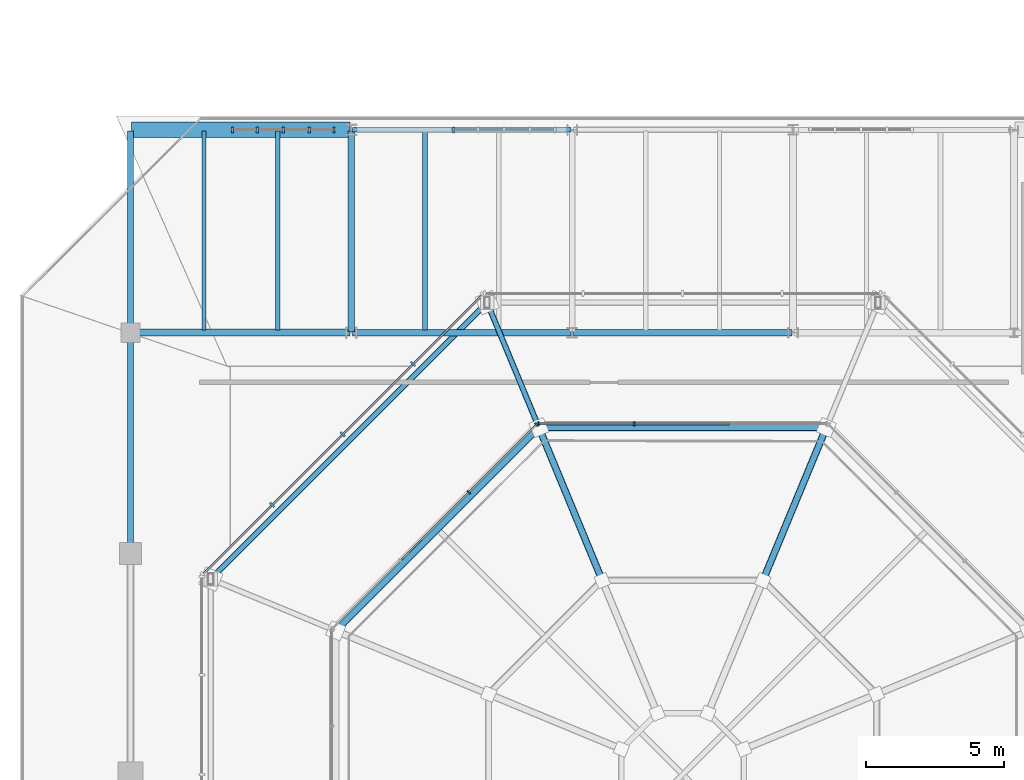
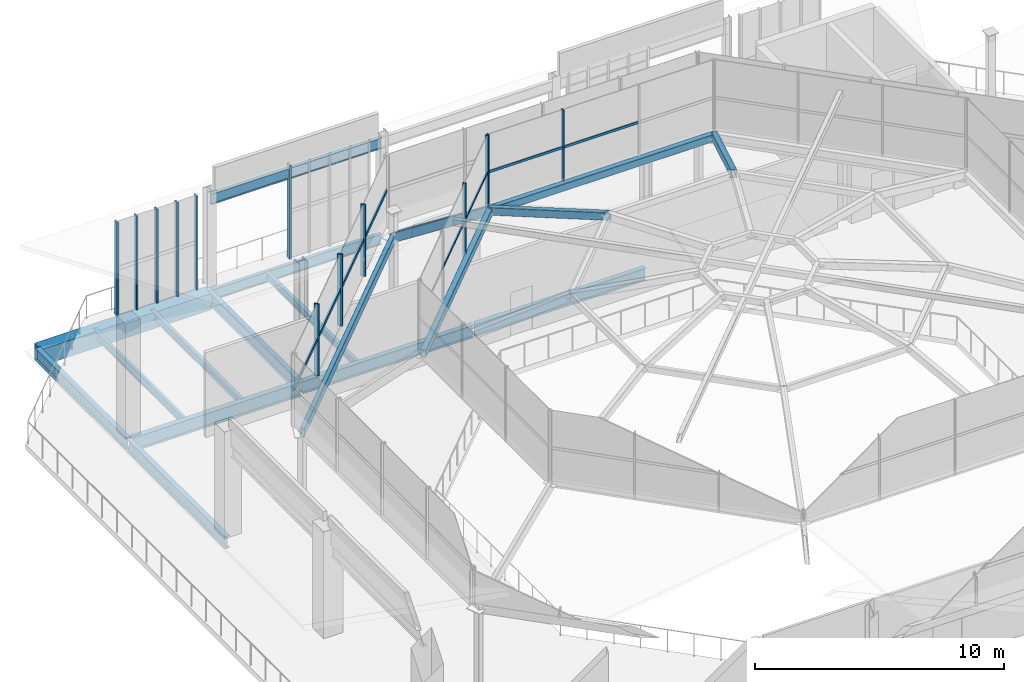
# One storey, part 13 of 30: 21 members, 18 beams, 5 elements without a shape of their own.
"""IFC4 building model written with IfcOpenShell, lengths in metres."""

from ifc_helpers import new_model, si_unit, direction, frame, origin, origin_2d, place, context, subcontext, project, spatial, rectangle, hollow_rectangle, i_section, extrude, material, material_profile, profile_set, type_object, element, aggregate, save


model = new_model("IFC4")

# Units and contexts
model_context = context("Model", 3, precision=1e-05, world=origin(), true_north=direction((0.0, 1.0)))
body_context = subcontext(model_context, "Body", "Model", "MODEL_VIEW")
ifc_project = project(units=[si_unit("LENGTHUNIT", "METRE"), si_unit("AREAUNIT", "SQUARE_METRE"), si_unit("VOLUMEUNIT", "CUBIC_METRE"), si_unit("PLANEANGLEUNIT", "RADIAN"), si_unit("MASSUNIT", "GRAM", prefix="KILO")], contexts=[model_context])

# Site, building, storey
site_placement = place(None, origin())
site = spatial("IfcSite", under=ifc_project, at=site_placement, CompositionType="ELEMENT")
building_placement = place(site_placement, origin())
building = spatial("IfcBuilding", under=site, at=building_placement, Name="Brisemont Oceanarium", CompositionType="ELEMENT")
storey_placement = place(building_placement, frame((0.0, 0.0, 19.800048828125)))
storey = spatial("IfcBuildingStorey", under=building, at=storey_placement, Name="L04", CompositionType="ELEMENT", Elevation=19.800048828125)

# Beams
ifc_material_1 = material(Name="Structural Steel ASTM A500 Gr.C", Category="steel")
ifc_material_profile_1 = material_profile(ifc_material_1, hollow_rectangle(XDim=0.25390625, YDim=0.35595703125, WallThickness=0.01171875, InnerFilletRadius=0.01220703125, OuterFilletRadius=0.02392578125, at=origin_2d()), Name="HSS14X10X1/2")
ifc_profile_set_1 = profile_set([ifc_material_profile_1], Name="Structural Steel ASTM A500 Gr.C")
beam_type_1 = type_object("IfcBeamType", Name="BM-HSS14X10", PredefinedType="BEAM", material=ifc_profile_set_1)
beam_1_placement = place(storey_placement, frame((89.20458984375, 68.564697265625, 7.800048828125), z_axis=(-1.0, 0.0, 0.0), x_axis=(0.0, -1.0, 0.0)))
element("IfcBeam", 1, at=beam_1_placement, inside=storey, type_object=beam_type_1, Name="V1 dome ring 2 chord 2", PredefinedType="BEAM", context=body_context, shape_type="SweptSolid", body=[
    extrude(hollow_rectangle(XDim=0.25390625, YDim=0.35595703125, WallThickness=0.01171875, InnerFilletRadius=0.01220703125, OuterFilletRadius=0.02392578125, at=origin_2d()), origin(), (0.0, 0.0, 1.0), 10.4091796875),
])
beam_2_placement = place(storey_placement, frame((89.20458984375, 68.564697265625, 7.800048828125), z_axis=(-0.357341841105, -0.862673737617, 0.357911764296), x_axis=(0.923875488976, -0.382693194178, 0.0)))
element("IfcBeam", 2, at=beam_2_placement, inside=storey, type_object=beam_type_1, Name="V1 dome meridian arch rib 2.2", PredefinedType="BEAM", context=body_context, shape_type="SweptSolid", body=[
    extrude(hollow_rectangle(XDim=0.25390625, YDim=0.35595703125, WallThickness=0.01171875, InnerFilletRadius=0.01220703125, OuterFilletRadius=0.02392578125, at=origin_2d()), origin(), (0.0, 0.0, 1.0), 6.425537109375),
])
beam_3_placement = place(storey_placement, frame((78.79541015625, 68.564697265625, 7.800048828125), z_axis=(-0.707106781187, -0.707106781187, 0.0), x_axis=(0.707106781187, -0.707106781187, 0.0)))
element("IfcBeam", 3, at=beam_3_placement, inside=storey, type_object=beam_type_1, Name="V1 dome ring 2 chord 3", PredefinedType="BEAM", context=body_context, shape_type="SweptSolid", body=[
    extrude(hollow_rectangle(XDim=0.25390625, YDim=0.35595703125, WallThickness=0.01171875, InnerFilletRadius=0.01220703125, OuterFilletRadius=0.02392578125, at=origin_2d()), origin(), (0.0, 0.0, 1.0), 10.40869140625),
])
beam_4_placement = place(storey_placement, frame((78.79541015625, 68.564697265625, 7.800048828125), z_axis=(0.357341841105, -0.862673737617, 0.357911764296), x_axis=(0.923875488976, 0.382693194178, 0.0)))
element("IfcBeam", 4, at=beam_4_placement, inside=storey, type_object=beam_type_1, Name="V1 dome meridian arch rib 2.3", PredefinedType="BEAM", context=body_context, shape_type="SweptSolid", body=[
    extrude(hollow_rectangle(XDim=0.25390625, YDim=0.35595703125, WallThickness=0.01171875, InnerFilletRadius=0.01220703125, OuterFilletRadius=0.02392578125, at=origin_2d()), origin(), (0.0, 0.0, 1.0), 6.425537109375),
])
ifc_material_2 = material(Name="Structural Steel ASTM A500 Gr.C", Category="steel")
ifc_material_profile_2 = material_profile(ifc_material_2, hollow_rectangle(XDim=0.202880859375, YDim=0.406005859375, WallThickness=0.01171875, InnerFilletRadius=0.01220703125, OuterFilletRadius=0.02392578125, at=origin_2d()), Name="HSS16X8X1/2")
ifc_profile_set_2 = profile_set([ifc_material_profile_2], Name="Structural Steel ASTM A500 Gr.C")
beam_type_2 = type_object("IfcBeamType", Name="BM-HSS16X8", PredefinedType="BEAM", material=ifc_profile_set_2)
beam_5_placement = place(storey_placement, frame((76.92041015625, 73.091796875, 4.3798828125), z_axis=(-0.707106781187, -0.707106781187, 0.0), x_axis=(0.707106781187, -0.707106781187, 0.0)))
element("IfcBeam", 5, at=beam_5_placement, inside=storey, type_object=beam_type_2, Name="V1 dome ring 1 chord 3", PredefinedType="BEAM", context=body_context, shape_type="SweptSolid", body=[
    extrude(hollow_rectangle(XDim=0.202880859375, YDim=0.406005859375, WallThickness=0.01171875, InnerFilletRadius=0.01220703125, OuterFilletRadius=0.02392578125, at=origin_2d()), origin(), (0.0, 0.0, 1.0), 14.159423828125),
])
beam_6_placement = place(storey_placement, frame((76.92041015625, 73.091796875, 4.3798828125), z_axis=(0.313776039681, -0.757597539558, 0.572355278632), x_axis=(0.92389295654, 0.382651022285, 0.0)))
element("IfcBeam", 6, at=beam_6_placement, inside=storey, type_object=beam_type_2, Name="V1 dome meridian arch rib 1.3", PredefinedType="BEAM", context=body_context, shape_type="SweptSolid", body=[
    extrude(hollow_rectangle(XDim=0.202880859375, YDim=0.406005859375, WallThickness=0.01171875, InnerFilletRadius=0.01220703125, OuterFilletRadius=0.02392578125, at=origin_2d()), origin(), (0.0, 0.0, 1.0), 5.9755859375),
])
ifc_material_3 = material(Name="Concrete C40/50", Category="concrete")
ifc_material_profile_3 = material_profile(ifc_material_3, rectangle(XDim=0.550048828125, YDim=0.800048828125, at=origin_2d()), Name="RC-BM-550X800")
ifc_profile_set_3 = profile_set([ifc_material_profile_3], Name="Concrete C40/50")
beam_type_3 = type_object("IfcBeamType", Name="BM-RC550X800", PredefinedType="SPANDREL", material=ifc_profile_set_3)
beam_7_placement = place(storey_placement, frame((64.0400390625, 79.35009765625, -0.66015625), z_axis=(1.0, 0.0, 0.0), x_axis=(0.0, 1.0, 0.0)))
element("IfcBeam", 7, at=beam_7_placement, inside=storey, type_object=beam_type_3, Name="V1 L04 EW girder", PredefinedType="SPANDREL", context=body_context, shape_type="SweptSolid", body=[
    extrude(rectangle(XDim=0.550048828125, YDim=0.800048828125, at=origin_2d()), origin(), (0.0, 0.0, 1.0), 7.919921875),
])
ifc_material_4 = material(Name="Structural Steel ASTM A992 Gr.50", Category="steel")
ifc_material_profile_4 = material_profile(ifc_material_4, i_section(OverallWidth=0.1708984375, OverallDepth=0.35107421875, WebThickness=0.0068359375, FlangeThickness=0.009765625, FilletRadius=0.010009765625, at=origin_2d()), Name="W14X30")
ifc_profile_set_4 = profile_set([ifc_material_profile_4], Name="Structural Steel ASTM A992 Gr.50")
beam_type_4 = type_object("IfcBeamType", Name="BM-W14X30", PredefinedType="JOIST", material=ifc_profile_set_4)
for number, where, z_axis, x_axis, name in (
    (8, (69.333251953125, 72.090087890625, -0.435546875), (0.0, 1.0, 0.0), (-1.0, 0.0, 0.0), "V1 L04 secondary floor beam"),
    (9, (74.666748046875, 72.090087890625, -0.435546875), (0.0, 1.0, 0.0), (-1.0, 0.0, 0.0), "V1 L04 secondary floor beam"),
):
    element("IfcBeam", number, at=place(storey_placement, frame(where, z_axis=z_axis, x_axis=x_axis)), inside=storey, type_object=beam_type_4, Name=name, PredefinedType="JOIST", context=body_context, shape_type="SweptSolid", body=[
        extrude(i_section(OverallWidth=0.1708984375, OverallDepth=0.35107421875, WebThickness=0.0068359375, FlangeThickness=0.009765625, FilletRadius=0.010009765625, at=origin_2d()), origin(), (0.0, 0.0, 1.0), 7.219970703125),
    ])
ifc_material_5 = material(Name="Structural Steel ASTM A992 Gr.50", Category="steel")
ifc_material_profile_5 = material_profile(ifc_material_5, i_section(OverallWidth=0.139892578125, OverallDepth=0.39892578125, WebThickness=0.00634765625, FlangeThickness=0.0087890625, FilletRadius=0.010009765625, at=origin_2d()), Name="W16X26")
ifc_profile_set_5 = profile_set([ifc_material_profile_5], Name="Structural Steel ASTM A992 Gr.50")
beam_type_5 = type_object("IfcBeamType", Name="BM-W16X26", PredefinedType="JOIST", material=ifc_profile_set_5)
beam_8_placement = place(storey_placement, frame((66.666748046875, 72.090087890625, -0.45947265625), z_axis=(0.0, 1.0, 0.0), x_axis=(-1.0, 0.0, 0.0)))
element("IfcBeam", 10, at=beam_8_placement, inside=storey, type_object=beam_type_5, Name="V1 L04 secondary floor beam", PredefinedType="JOIST", context=body_context, shape_type="SweptSolid", body=[
    extrude(i_section(OverallWidth=0.139892578125, OverallDepth=0.39892578125, WebThickness=0.00634765625, FlangeThickness=0.0087890625, FilletRadius=0.010009765625, at=origin_2d()), origin(), (0.0, 0.0, 1.0), 7.219970703125),
])
ifc_material_6 = material(Name="Structural Steel ASTM A992 Gr.50", Category="steel")
ifc_material_profile_6 = material_profile(ifc_material_6, i_section(OverallWidth=0.166015625, OverallDepth=0.528076171875, WebThickness=0.009765625, FlangeThickness=0.013671875, FilletRadius=0.012939453125, at=origin_2d()), Name="W21X50")
ifc_profile_set_6 = profile_set([ifc_material_profile_6], Name="Structural Steel ASTM A992 Gr.50")
beam_type_6 = type_object("IfcBeamType", Name="BM-W21X50", PredefinedType="SPANDREL", material=ifc_profile_set_6)
for number, where, z_axis, x_axis, name in (
    (11, (72.0400390625, 79.35009765625, -0.524169921875), (1.0, 0.0, 0.0), (0.0, 1.0, 0.0), "V1 L04 EW girder"),
    (12, (72.0400390625, 79.35009765625, 4.18603515625), (1.0, 0.0, 0.0), (0.0, 1.0, 0.0), "V1 L04 cornice parapet spandrel beam 4"),
):
    element("IfcBeam", number, at=place(storey_placement, frame(where, z_axis=z_axis, x_axis=x_axis)), inside=storey, type_object=beam_type_6, Name=name, PredefinedType="SPANDREL", context=body_context, shape_type="SweptSolid", body=[
        extrude(i_section(OverallWidth=0.166015625, OverallDepth=0.528076171875, WebThickness=0.009765625, FlangeThickness=0.013671875, FilletRadius=0.012939453125, at=origin_2d()), origin(), (0.0, 0.0, 1.0), 7.919921875),
    ])
ifc_material_7 = material(Name="Structural Steel ASTM A992 Gr.50", Category="steel")
ifc_material_profile_7 = material_profile(ifc_material_7, i_section(OverallWidth=0.22802734375, OverallDepth=0.60205078125, WebThickness=0.010498046875, FlangeThickness=0.014892578125, FilletRadius=0.012939453125, at=origin_2d()), Name="W24X68")
ifc_profile_set_7 = profile_set([ifc_material_profile_7], Name="Structural Steel ASTM A992 Gr.50")
beam_type_7 = type_object("IfcBeamType", Name="BM-W24X68", PredefinedType="BEAM", material=ifc_profile_set_7)
beam_9_placement = place(storey_placement, frame((72.0, 72.0400390625, -0.56103515625), z_axis=(0.0, 1.0, 0.0), x_axis=(-1.0, 0.0, 0.0)))
element("IfcBeam", 13, at=beam_9_placement, inside=storey, type_object=beam_type_7, Name="V1 L04 NS girder", PredefinedType="BEAM", context=body_context, shape_type="SweptSolid", body=[
    extrude(i_section(OverallWidth=0.22802734375, OverallDepth=0.60205078125, WebThickness=0.010498046875, FlangeThickness=0.014892578125, FilletRadius=0.012939453125, at=origin_2d()), origin(), (0.0, 0.0, 1.0), 7.27001953125),
])
ifc_material_8 = material(Name="Structural Steel ASTM A992 Gr.50", Category="steel")
ifc_material_profile_8 = material_profile(ifc_material_8, i_section(OverallWidth=0.22802734375, OverallDepth=0.60791015625, WebThickness=0.01123046875, FlangeThickness=0.017333984375, FilletRadius=0.012939453125, at=origin_2d()), Name="W24X76")
ifc_profile_set_8 = profile_set([ifc_material_profile_8], Name="Structural Steel ASTM A992 Gr.50")
beam_type_8 = type_object("IfcBeamType", Name="BM-W24X76", PredefinedType="BEAM", material=ifc_profile_set_8)
beam_10_placement = place(storey_placement, frame((80.0400390625, 72.0, -0.56396484375), z_axis=(1.0, 0.0, 0.0), x_axis=(0.0, 1.0, 0.0)))
element("IfcBeam", 14, at=beam_10_placement, inside=storey, type_object=beam_type_8, Name="V1 L04 EW girder", PredefinedType="BEAM", context=body_context, shape_type="SweptSolid", body=[
    extrude(i_section(OverallWidth=0.22802734375, OverallDepth=0.60791015625, WebThickness=0.01123046875, FlangeThickness=0.017333984375, FilletRadius=0.012939453125, at=origin_2d()), origin(), (0.0, 0.0, 1.0), 7.919921875),
])
beam_11_placement = place(storey_placement, frame((64.0, 72.0400390625, -0.56396484375), z_axis=(0.0, 1.0, 0.0), x_axis=(-1.0, 0.0, 0.0)))
element("IfcBeam", 15, at=beam_11_placement, inside=storey, type_object=beam_type_8, Name="V1 L04 NS girder", PredefinedType="BEAM", context=body_context, shape_type="SweptSolid", body=[
    extrude(i_section(OverallWidth=0.22802734375, OverallDepth=0.60791015625, WebThickness=0.01123046875, FlangeThickness=0.017333984375, FilletRadius=0.012939453125, at=origin_2d()), origin(), (0.0, 0.0, 1.0), 7.27001953125),
])
ifc_material_9 = material(Name="Structural Steel ASTM A992 Gr.50", Category="steel")
ifc_material_profile_9 = material_profile(ifc_material_9, i_section(OverallWidth=0.22900390625, OverallDepth=0.612060546875, WebThickness=0.011962890625, FlangeThickness=0.01953125, FilletRadius=0.012939453125, at=origin_2d()), Name="W24X84")
ifc_profile_set_9 = profile_set([ifc_material_profile_9], Name="Structural Steel ASTM A992 Gr.50")
beam_type_9 = type_object("IfcBeamType", Name="BM-W24X84", PredefinedType="BEAM", material=ifc_profile_set_9)
for number, where, z_axis, x_axis, name in (
    (16, (72.0400390625, 72.0, -0.566162109375), (1.0, 0.0, 0.0), (0.0, 1.0, 0.0), "V1 L04 EW girder"),
    (17, (64.0, 64.0400390625, -0.566162109375), (0.0, 1.0, 0.0), (-1.0, 0.0, 0.0), "V1 L04 NS girder"),
):
    element("IfcBeam", number, at=place(storey_placement, frame(where, z_axis=z_axis, x_axis=x_axis)), inside=storey, type_object=beam_type_9, Name=name, PredefinedType="BEAM", context=body_context, shape_type="SweptSolid", body=[
        extrude(i_section(OverallWidth=0.22900390625, OverallDepth=0.612060546875, WebThickness=0.011962890625, FlangeThickness=0.01953125, FilletRadius=0.012939453125, at=origin_2d()), origin(), (0.0, 0.0, 1.0), 7.919921875),
    ])
ifc_material_10 = material(Name="Structural Steel ASTM A992 Gr.50", Category="steel")
ifc_material_profile_10 = material_profile(ifc_material_10, i_section(OverallWidth=0.2529296875, OverallDepth=0.677978515625, WebThickness=0.01171875, FlangeThickness=0.016357421875, FilletRadius=0.014892578125, at=origin_2d()), Name="W27X84")
ifc_profile_set_10 = profile_set([ifc_material_profile_10], Name="Structural Steel ASTM A992 Gr.50")
beam_type_10 = type_object("IfcBeamType", Name="BM-W27X84", PredefinedType="BEAM", material=ifc_profile_set_10)
beam_12_placement = place(storey_placement, frame((64.0400390625, 72.0, -0.59912109375), z_axis=(1.0, 0.0, 0.0), x_axis=(0.0, 1.0, 0.0)))
element("IfcBeam", 18, at=beam_12_placement, inside=storey, type_object=beam_type_10, Name="V1 L04 EW girder", PredefinedType="BEAM", context=body_context, shape_type="SweptSolid", body=[
    extrude(i_section(OverallWidth=0.2529296875, OverallDepth=0.677978515625, WebThickness=0.01171875, FlangeThickness=0.016357421875, FilletRadius=0.014892578125, at=origin_2d()), origin(), (0.0, 0.0, 1.0), 7.919921875),
])

# Curtain wall, members
ifc_material_11 = material(Name="Anodized Extruded Aluminum 6063-T6", Category="aluminium")
curtain_wall_type_1 = type_object("IfcCurtainWallType", Name="CW-CLR-48X34", PredefinedType="NOTDEFINED", material=ifc_material_11)
curtain_wall_1_placement = place(storey_placement, origin())
curtain_wall_1 = element("IfcCurtainWall", 19, at=curtain_wall_1_placement, inside=storey, type_object=curtain_wall_type_1, Name="CW-22 curtain wall CW-DOME-UP-2", PredefinedType="NOTDEFINED")
ifc_material_12 = material(Name="Anodized Extruded Aluminum 6063-T6", Category="aluminium")
ifc_material_profile_11 = material_profile(ifc_material_12, rectangle(XDim=0.06005859375, YDim=0.14990234375, at=origin_2d()), Name="CWM-60X150")
ifc_profile_set_11 = profile_set([ifc_material_profile_11], Name="Anodized Extruded Aluminum 6063-T6")
member_type_1 = type_object("IfcMemberType", Name="MEM-CWM-60", PredefinedType="MULLION", material=ifc_profile_set_11)
member_1_placement = place(storey_placement, frame((82.24609375, 68.703369140625, 7.75), z_axis=(0.0, 0.0, 1.0), x_axis=(-1.0, 0.0, 0.0)))
member_1 = element("IfcMember", 20, at=member_1_placement, type_object=member_type_1, Name="CW-DOME-UP-2 mullion 3", PredefinedType="MULLION", context=body_context, shape_type="SweptSolid", body=[
    extrude(rectangle(XDim=0.06005859375, YDim=0.14990234375, at=origin_2d()), origin(), (0.0, 0.0, 1.0), 3.699951171875),
])
member_2_placement = place(storey_placement, frame((78.783203125, 68.703369140625, 7.75), z_axis=(0.0, 0.0, 1.0), x_axis=(-1.0, 0.0, 0.0)))
member_2 = element("IfcMember", 21, at=member_2_placement, type_object=member_type_1, Name="CW-DOME-UP-2 mullion 4", PredefinedType="MULLION", context=body_context, shape_type="SweptSolid", body=[
    extrude(rectangle(XDim=0.06005859375, YDim=0.14990234375, at=origin_2d()), origin(), (0.0, 0.0, 1.0), 3.699951171875),
])

curtain_wall_2_placement = place(storey_placement, origin())
curtain_wall_2 = element("IfcCurtainWall", 22, at=curtain_wall_2_placement, inside=storey, type_object=curtain_wall_type_1, Name="CW-22 curtain wall CW-DOME-UP-3", PredefinedType="NOTDEFINED")
member_3_placement = place(storey_placement, frame((78.706298828125, 68.67138671875, 7.75), z_axis=(0.0, 0.0, 1.0), x_axis=(-0.707106781187, -0.707106781187, 0.0)))
member_3 = element("IfcMember", 23, at=member_3_placement, type_object=member_type_1, Name="CW-DOME-UP-3 mullion 1", PredefinedType="MULLION", context=body_context, shape_type="SweptSolid", body=[
    extrude(rectangle(XDim=0.06005859375, YDim=0.14990234375, at=origin_2d()), origin(), (0.0, 0.0, 1.0), 3.699951171875),
])
member_4_placement = place(storey_placement, frame((76.257568359375, 66.222900390625, 7.75), z_axis=(0.0, 0.0, 1.0), x_axis=(-0.707106781187, -0.707106781187, 0.0)))
member_4 = element("IfcMember", 24, at=member_4_placement, type_object=member_type_1, Name="CW-DOME-UP-3 mullion 2", PredefinedType="MULLION", context=body_context, shape_type="SweptSolid", body=[
    extrude(rectangle(XDim=0.06005859375, YDim=0.14990234375, at=origin_2d()), origin(), (0.0, 0.0, 1.0), 3.699951171875),
])

ifc_material_13 = material(Name="Anodized Extruded Aluminum 6063-T6", Category="aluminium")
curtain_wall_type_2 = type_object("IfcCurtainWallType", Name="CW-ROT-69X44", PredefinedType="NOTDEFINED", material=ifc_material_13)
curtain_wall_3_placement = place(storey_placement, origin())
curtain_wall_3 = element("IfcCurtainWall", 25, at=curtain_wall_3_placement, inside=storey, type_object=curtain_wall_type_2, Name="CW-03 curtain wall CW-V1-N-L04-01", PredefinedType="NOTDEFINED")
ifc_material_14 = material(Name="Anodized Extruded Aluminum 6063-T6", Category="aluminium")
ifc_material_profile_12 = material_profile(ifc_material_14, rectangle(XDim=0.074951171875, YDim=0.219970703125, at=origin_2d()), Name="CWM-75X220")
ifc_profile_set_12 = profile_set([ifc_material_profile_12], Name="Anodized Extruded Aluminum 6063-T6")
member_type_2 = type_object("IfcMemberType", Name="MEM-CWM-75", PredefinedType="MULLION", material=ifc_profile_set_12)
member_5_placement = place(storey_placement, frame((67.695068359375, 79.35009765625, 0.0), z_axis=(0.0, 0.0, 1.0), x_axis=(1.0, 0.0, 0.0)))
member_5 = element("IfcMember", 26, at=member_5_placement, type_object=member_type_2, Name="CW-V1-N-L04-01 mullion 1", PredefinedType="MULLION", context=body_context, shape_type="SweptSolid", body=[
    extrude(rectangle(XDim=0.074951171875, YDim=0.219970703125, at=origin_2d()), origin(), (0.0, 0.0, 1.0), 4.599853515625),
])
member_6_placement = place(storey_placement, frame((68.592529296875, 79.35009765625, 0.0), z_axis=(0.0, 0.0, 1.0), x_axis=(1.0, 0.0, 0.0)))
member_6 = element("IfcMember", 27, at=member_6_placement, type_object=member_type_2, Name="CW-V1-N-L04-01 mullion 2", PredefinedType="MULLION", context=body_context, shape_type="SweptSolid", body=[
    extrude(rectangle(XDim=0.074951171875, YDim=0.219970703125, at=origin_2d()), origin(), (0.0, 0.0, 1.0), 4.599853515625),
])
member_7_placement = place(storey_placement, frame((69.534912109375, 79.35009765625, 0.0), z_axis=(0.0, 0.0, 1.0), x_axis=(1.0, 0.0, 0.0)))
member_7 = element("IfcMember", 28, at=member_7_placement, type_object=member_type_2, Name="CW-V1-N-L04-01 mullion 3", PredefinedType="MULLION", context=body_context, shape_type="SweptSolid", body=[
    extrude(rectangle(XDim=0.074951171875, YDim=0.219970703125, at=origin_2d()), origin(), (0.0, 0.0, 1.0), 4.599853515625),
])
member_8_placement = place(storey_placement, frame((70.4775390625, 79.35009765625, 0.0), z_axis=(0.0, 0.0, 1.0), x_axis=(1.0, 0.0, 0.0)))
member_8 = element("IfcMember", 29, at=member_8_placement, type_object=member_type_2, Name="CW-V1-N-L04-01 mullion 4", PredefinedType="MULLION", context=body_context, shape_type="SweptSolid", body=[
    extrude(rectangle(XDim=0.074951171875, YDim=0.219970703125, at=origin_2d()), origin(), (0.0, 0.0, 1.0), 4.599853515625),
])
member_9_placement = place(storey_placement, frame((71.375, 79.35009765625, 0.0), z_axis=(0.0, 0.0, 1.0), x_axis=(1.0, 0.0, 0.0)))
member_9 = element("IfcMember", 30, at=member_9_placement, type_object=member_type_2, Name="CW-V1-N-L04-01 mullion 5", PredefinedType="MULLION", context=body_context, shape_type="SweptSolid", body=[
    extrude(rectangle(XDim=0.074951171875, YDim=0.219970703125, at=origin_2d()), origin(), (0.0, 0.0, 1.0), 4.599853515625),
])
aggregate(curtain_wall_3, [member_5, member_6, member_7, member_8, member_9])

# Curtain wall, member
curtain_wall_4_placement = place(storey_placement, origin())
curtain_wall_4 = element("IfcCurtainWall", 31, at=curtain_wall_4_placement, inside=storey, type_object=curtain_wall_type_2, Name="CW-03 curtain wall CW-V1-N-L04-02", PredefinedType="NOTDEFINED")
member_10_placement = place(storey_placement, frame((75.695068359375, 79.35009765625, 0.0), z_axis=(0.0, 0.0, 1.0), x_axis=(1.0, 0.0, 0.0)))
member_10 = element("IfcMember", 32, at=member_10_placement, type_object=member_type_2, Name="CW-V1-N-L04-02 mullion 1", PredefinedType="MULLION", context=body_context, shape_type="SweptSolid", body=[
    extrude(rectangle(XDim=0.074951171875, YDim=0.219970703125, at=origin_2d()), origin(), (0.0, 0.0, 1.0), 4.599853515625),
])
aggregate(curtain_wall_4, [member_10])

# Curtain wall, members
curtain_wall_5_placement = place(storey_placement, origin())
curtain_wall_5 = element("IfcCurtainWall", 33, at=curtain_wall_5_placement, inside=storey, type_object=curtain_wall_type_2, Name="CW-03 curtain wall CW-DOME-DRUM-3", PredefinedType="NOTDEFINED")
member_11_placement = place(storey_placement, frame((74.236083984375, 70.86474609375, 4.780029296875), z_axis=(0.0, 0.0, 1.0), x_axis=(-0.707106781187, -0.707106781187, 0.0)))
member_11 = element("IfcMember", 34, at=member_11_placement, type_object=member_type_2, Name="CW-DOME-DRUM-3 mullion 2", PredefinedType="MULLION", context=body_context, shape_type="SweptSolid", body=[
    extrude(rectangle(XDim=0.074951171875, YDim=0.219970703125, at=origin_2d()), origin(), (0.0, 0.0, 1.0), 3.52001953125),
])
member_12_placement = place(storey_placement, frame((71.685791015625, 68.314208984375, 4.780029296875), z_axis=(0.0, 0.0, 1.0), x_axis=(-0.707106781187, -0.707106781187, 0.0)))
member_12 = element("IfcMember", 35, at=member_12_placement, type_object=member_type_2, Name="CW-DOME-DRUM-3 mullion 3", PredefinedType="MULLION", context=body_context, shape_type="SweptSolid", body=[
    extrude(rectangle(XDim=0.074951171875, YDim=0.219970703125, at=origin_2d()), origin(), (0.0, 0.0, 1.0), 3.52001953125),
])
member_13_placement = place(storey_placement, frame((69.13525390625, 65.763916015625, 4.780029296875), z_axis=(0.0, 0.0, 1.0), x_axis=(-0.707106781187, -0.707106781187, 0.0)))
member_13 = element("IfcMember", 36, at=member_13_placement, type_object=member_type_2, Name="CW-DOME-DRUM-3 mullion 4", PredefinedType="MULLION", context=body_context, shape_type="SweptSolid", body=[
    extrude(rectangle(XDim=0.074951171875, YDim=0.219970703125, at=origin_2d()), origin(), (0.0, 0.0, 1.0), 3.52001953125),
])

# Member
ifc_material_15 = material(Name="Anodized Extruded Aluminum 6063-T6", Category="aluminium")
ifc_material_profile_13 = material_profile(ifc_material_15, rectangle(XDim=0.06005859375, YDim=0.1201171875, at=origin_2d()), Name="CWT-60X120")
ifc_profile_set_13 = profile_set([ifc_material_profile_13], Name="Anodized Extruded Aluminum 6063-T6")
member_type_3 = type_object("IfcMemberType", Name="MEM-CWT-60", PredefinedType="USERDEFINED", material=ifc_profile_set_13)
member_14_placement = place(storey_placement, frame((85.739013671875, 68.703369140625, 9.599853515625), z_axis=(-1.0, 0.0, 0.0), x_axis=(0.0, -1.0, 0.0)))
member_14 = element("IfcMember", 37, at=member_14_placement, type_object=member_type_3, Name="CW-DOME-UP-2 transom 2.1", ObjectType="TRANSOM", PredefinedType="USERDEFINED", context=body_context, shape_type="SweptSolid", body=[
    extrude(rectangle(XDim=0.06005859375, YDim=0.1201171875, at=origin_2d()), origin(), (0.0, 0.0, 1.0), 3.47802734375),
])

member_15_placement = place(storey_placement, frame((82.23095703125, 68.703369140625, 9.599853515625), z_axis=(-1.0, 0.0, 0.0), x_axis=(0.0, -1.0, 0.0)))
member_15 = element("IfcMember", 38, at=member_15_placement, type_object=member_type_3, Name="CW-DOME-UP-2 transom 3.1", ObjectType="TRANSOM", PredefinedType="USERDEFINED", context=body_context, shape_type="SweptSolid", body=[
    extrude(rectangle(XDim=0.06005859375, YDim=0.1201171875, at=origin_2d()), origin(), (0.0, 0.0, 1.0), 3.477783203125),
])

aggregate(curtain_wall_1, [member_1, member_2, member_14, member_15])

member_16_placement = place(storey_placement, frame((78.7275390625, 68.692626953125, 9.599853515625), z_axis=(-0.707106781187, -0.707106781187, 0.0), x_axis=(0.707106781187, -0.707106781187, 0.0)))
member_16 = element("IfcMember", 39, at=member_16_placement, type_object=member_type_3, Name="CW-DOME-UP-3 transom 1.1", ObjectType="TRANSOM", PredefinedType="USERDEFINED", context=body_context, shape_type="SweptSolid", body=[
    extrude(rectangle(XDim=0.06005859375, YDim=0.1201171875, at=origin_2d()), origin(), (0.0, 0.0, 1.0), 3.477783203125),
])

member_17_placement = place(storey_placement, frame((76.2470703125, 66.212158203125, 9.599853515625), z_axis=(-0.707106781187, -0.707106781187, 0.0), x_axis=(0.707106781187, -0.707106781187, 0.0)))
member_17 = element("IfcMember", 40, at=member_17_placement, type_object=member_type_3, Name="CW-DOME-UP-3 transom 2.1", ObjectType="TRANSOM", PredefinedType="USERDEFINED", context=body_context, shape_type="SweptSolid", body=[
    extrude(rectangle(XDim=0.06005859375, YDim=0.1201171875, at=origin_2d()), origin(), (0.0, 0.0, 1.0), 3.477783203125),
])

aggregate(curtain_wall_2, [member_3, member_4, member_16, member_17])

ifc_material_16 = material(Name="Anodized Extruded Aluminum 6063-T6", Category="aluminium")
ifc_material_profile_14 = material_profile(ifc_material_16, rectangle(XDim=0.074951171875, YDim=0.1650390625, at=origin_2d()), Name="CWT-75X165")
ifc_profile_set_14 = profile_set([ifc_material_profile_14], Name="Anodized Extruded Aluminum 6063-T6")
member_type_4 = type_object("IfcMemberType", Name="MEM-CWT-75", PredefinedType="USERDEFINED", material=ifc_profile_set_14)
member_18_placement = place(storey_placement, frame((76.77587890625, 73.404541015625, 6.5400390625), z_axis=(-0.707106781187, -0.707106781187, 0.0), x_axis=(0.707106781187, -0.707106781187, 0.0)))
member_18 = element("IfcMember", 41, at=member_18_placement, type_object=member_type_4, Name="CW-DOME-DRUM-3 transom 1.1", ObjectType="TRANSOM", PredefinedType="USERDEFINED", context=body_context, shape_type="SweptSolid", body=[
    extrude(rectangle(XDim=0.074951171875, YDim=0.1650390625, at=origin_2d()), origin(), (0.0, 0.0, 1.0), 3.576904296875),
])

member_19_placement = place(storey_placement, frame((74.225341796875, 70.85400390625, 6.5400390625), z_axis=(-0.707106781187, -0.707106781187, 0.0), x_axis=(0.707106781187, -0.707106781187, 0.0)))
member_19 = element("IfcMember", 42, at=member_19_placement, type_object=member_type_4, Name="CW-DOME-DRUM-3 transom 2.1", ObjectType="TRANSOM", PredefinedType="USERDEFINED", context=body_context, shape_type="SweptSolid", body=[
    extrude(rectangle(XDim=0.074951171875, YDim=0.1650390625, at=origin_2d()), origin(), (0.0, 0.0, 1.0), 3.57666015625),
])

member_20_placement = place(storey_placement, frame((71.675048828125, 68.3037109375, 6.5400390625), z_axis=(-0.707106781187, -0.707106781187, 0.0), x_axis=(0.707106781187, -0.707106781187, 0.0)))
member_20 = element("IfcMember", 43, at=member_20_placement, type_object=member_type_4, Name="CW-DOME-DRUM-3 transom 3.1", ObjectType="TRANSOM", PredefinedType="USERDEFINED", context=body_context, shape_type="SweptSolid", body=[
    extrude(rectangle(XDim=0.074951171875, YDim=0.1650390625, at=origin_2d()), origin(), (0.0, 0.0, 1.0), 3.57666015625),
])

member_21_placement = place(storey_placement, frame((69.124755859375, 65.75341796875, 6.5400390625), z_axis=(-0.707106781187, -0.707106781187, 0.0), x_axis=(0.707106781187, -0.707106781187, 0.0)))
member_21 = element("IfcMember", 44, at=member_21_placement, type_object=member_type_4, Name="CW-DOME-DRUM-3 transom 4.1", ObjectType="TRANSOM", PredefinedType="USERDEFINED", context=body_context, shape_type="SweptSolid", body=[
    extrude(rectangle(XDim=0.074951171875, YDim=0.1650390625, at=origin_2d()), origin(), (0.0, 0.0, 1.0), 3.576904296875),
])

aggregate(curtain_wall_5, [member_11, member_12, member_13, member_18, member_19, member_20, member_21])

save(model, "model.ifc")
